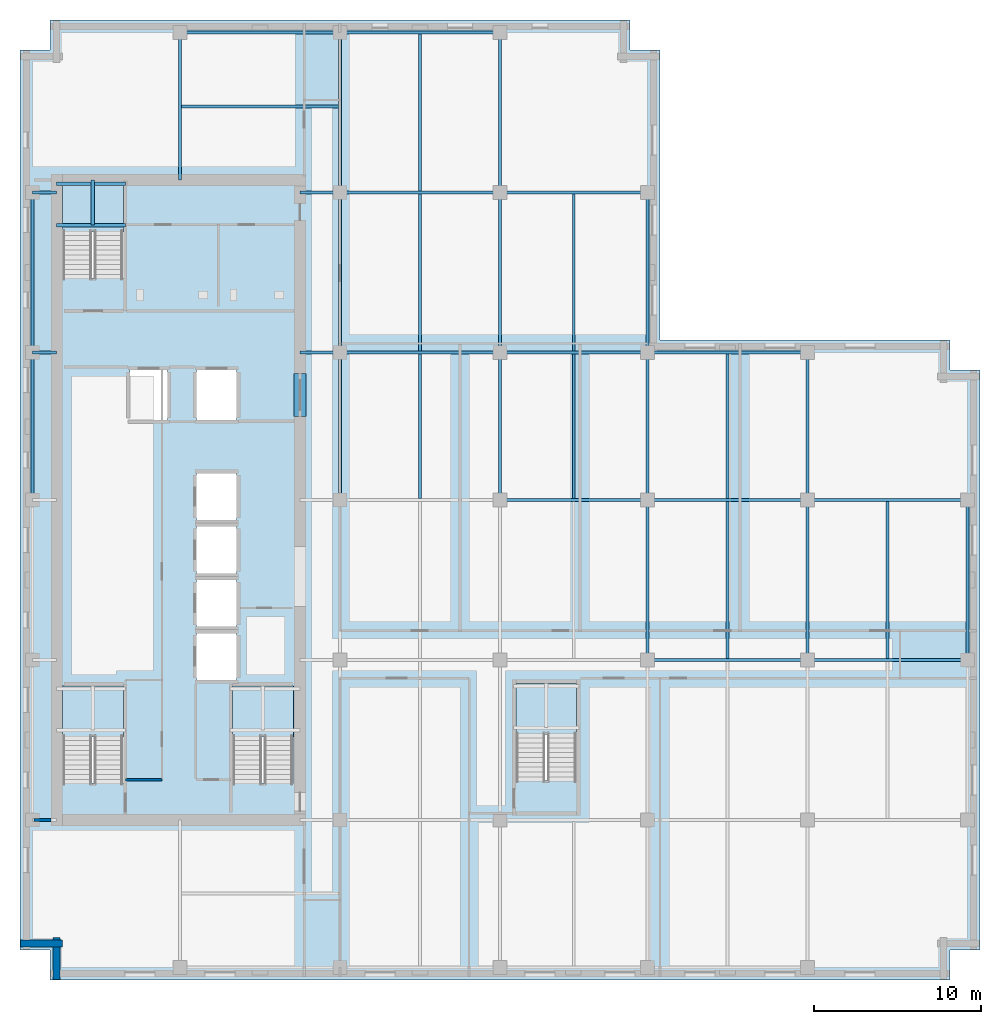
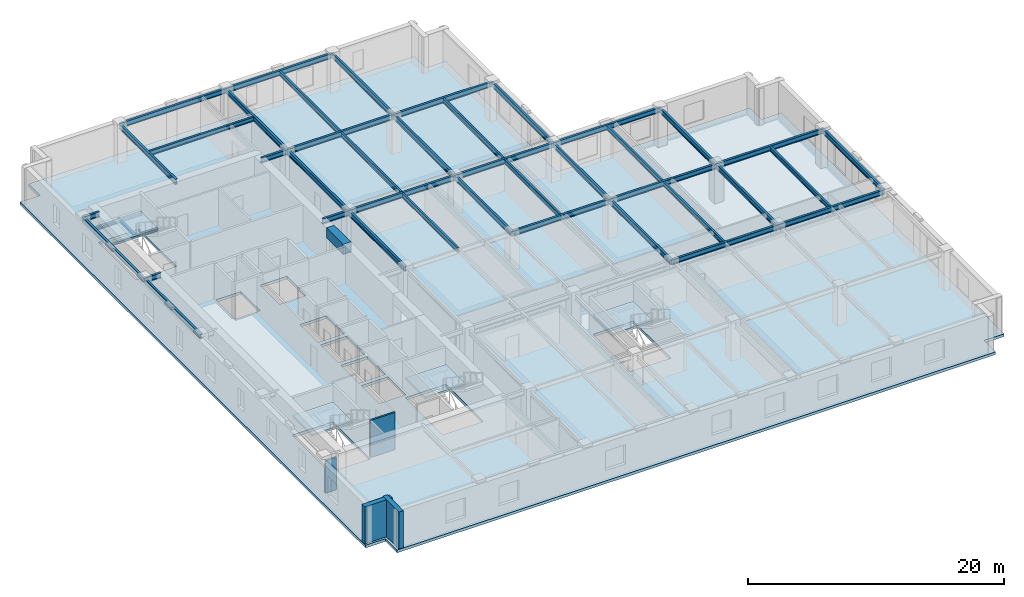
# One storey, part 2 of 11: 44 beams, 5 slabs, 4 walls, 4 elements without a shape of their own.
"""IFC4 building model written with IfcOpenShell, lengths in metres."""

from ifc_helpers import new_model, si_unit, direction, frame, frame_2d, origin, origin_2d, place, context, subcontext, project, spatial, polyline, rectangle, i_section, outline, extrude, material, layer, layer_set, material_profile, profile_set, type_object, element, aggregate, save


model = new_model("IFC4")

# Units and contexts
model_context = context("Model", 3, precision=1e-05, world=origin(), true_north=direction((0.0, 1.0)))
body_context = subcontext(model_context, "Body", "Model", "MODEL_VIEW")
ifc_project = project(units=[si_unit("LENGTHUNIT", "METRE"), si_unit("AREAUNIT", "SQUARE_METRE"), si_unit("VOLUMEUNIT", "CUBIC_METRE"), si_unit("PLANEANGLEUNIT", "RADIAN"), si_unit("MASSUNIT", "GRAM", prefix="KILO")], contexts=[model_context])

# Site, building, storey
site_placement = place(None, origin())
site = spatial("IfcSite", under=ifc_project, at=site_placement, CompositionType="ELEMENT")
building_placement = place(site_placement, origin())
building = spatial("IfcBuilding", under=site, at=building_placement, Name="Norrvale University Quadrangle", CompositionType="ELEMENT")
storey_placement = place(building_placement, frame((0.0, 0.0, 206.60009765625)))
storey = spatial("IfcBuildingStorey", under=building, at=storey_placement, Name="L52", CompositionType="ELEMENT", Elevation=206.60009765625)

# Beams
ifc_material_1 = material(Name="Concrete C80/95", Category="concrete")
ifc_material_profile_1 = material_profile(ifc_material_1, rectangle(XDim=0.699951171875, YDim=0.949951171875, at=origin_2d()), Name="Concrete C80/95")
ifc_profile_set_1 = profile_set([ifc_material_profile_1], Name="Concrete C80/95")
beam_type_1 = type_object("IfcBeamType", Name="Beam Core Link 700x950", PredefinedType="LINTEL", material=ifc_profile_set_1)
beam_1_placement = place(storey_placement, frame((16.800048828125, 33.800048828125, 3.06494140625), z_axis=(0.0, 1.0, 0.0), x_axis=(-1.0, 0.0, 0.0)))
element("IfcBeam", 1, at=beam_1_placement, inside=storey, type_object=beam_type_1, Name="Core Coupling Lintel Beam L52-2", PredefinedType="LINTEL", context=body_context, shape_type="SweptSolid", body=[
    extrude(rectangle(XDim=0.699951171875, YDim=0.949951171875, at=origin_2d()), origin(), (0.0, 0.0, 1.0), 2.599853515625),
])
ifc_material_2 = material(Name="Steel 350W", Category="steel")
ifc_material_profile_2 = material_profile(ifc_material_2, i_section(OverallWidth=0.194091796875, OverallDepth=0.468994140625, WebThickness=0.0126953125, FlangeThickness=0.0205078125, FilletRadius=0.012939453125, at=origin_2d()), Name="Steel 350W")
ifc_profile_set_2 = profile_set([ifc_material_profile_2], Name="Steel 350W")
beam_type_2 = type_object("IfcBeamType", Name="Beam Floor W460x106", PredefinedType="BEAM", material=ifc_profile_set_2)
for number, where, z_axis, x_axis, name in (
    (2, (37.64990234375, 19.199951171875, 3.305419921875), (1.0, 0.0, 0.0), (0.0, 1.0, 0.0), "Beam Floor W460x106 BM-L52-GX011"),
    (3, (47.25, 19.199951171875, 3.305419921875), (1.0, 0.0, 0.0), (0.0, 1.0, 0.0), "Beam Floor W460x106 BM-L52-GX012"),
):
    element("IfcBeam", number, at=place(storey_placement, frame(where, z_axis=z_axis, x_axis=x_axis)), inside=storey, type_object=beam_type_2, Name=name, PredefinedType="BEAM", context=body_context, shape_type="SweptSolid", body=[
        extrude(i_section(OverallWidth=0.194091796875, OverallDepth=0.468994140625, WebThickness=0.0126953125, FlangeThickness=0.0205078125, FilletRadius=0.012939453125, at=origin_2d()), origin(), (0.0, 0.0, 1.0), 9.60009765625),
    ])
beam_2_placement = place(storey_placement, frame((28.800048828125, 28.800048828125, 3.305419921875), z_axis=(1.0, 0.0, 0.0), x_axis=(0.0, 1.0, 0.0)))
element("IfcBeam", 4, at=beam_2_placement, inside=storey, type_object=beam_type_2, Name="Beam Floor W460x106 BM-L52-GX014", PredefinedType="BEAM", context=body_context, shape_type="SweptSolid", body=[
    extrude(i_section(OverallWidth=0.194091796875, OverallDepth=0.468994140625, WebThickness=0.0126953125, FlangeThickness=0.0205078125, FilletRadius=0.012939453125, at=origin_2d()), origin(), (0.0, 0.0, 1.0), 8.849853515625),
])
for number, where, z_axis, x_axis, name in (
    (5, (37.64990234375, 28.800048828125, 3.305419921875), (1.0, 0.0, 0.0), (0.0, 1.0, 0.0), "Beam Floor W460x106 BM-L52-GX015"),
    (6, (47.25, 28.800048828125, 3.305419921875), (1.0, 0.0, 0.0), (0.0, 1.0, 0.0), "Beam Floor W460x106 BM-L52-GX016"),
    (7, (19.199951171875, 37.64990234375, 3.305419921875), (1.0, 0.0, 0.0), (0.0, 1.0, 0.0), "Beam Floor W460x106 BM-L52-GX017"),
):
    element("IfcBeam", number, at=place(storey_placement, frame(where, z_axis=z_axis, x_axis=x_axis)), inside=storey, type_object=beam_type_2, Name=name, PredefinedType="BEAM", context=body_context, shape_type="SweptSolid", body=[
        extrude(i_section(OverallWidth=0.194091796875, OverallDepth=0.468994140625, WebThickness=0.0126953125, FlangeThickness=0.0205078125, FilletRadius=0.012939453125, at=origin_2d()), origin(), (0.0, 0.0, 1.0), 9.60009765625),
    ])
beam_3_placement = place(storey_placement, frame((28.800048828125, 37.64990234375, 3.305419921875), z_axis=(1.0, 0.0, 0.0), x_axis=(0.0, 1.0, 0.0)))
element("IfcBeam", 8, at=beam_3_placement, inside=storey, type_object=beam_type_2, Name="Beam Floor W460x106 BM-L52-GX018", PredefinedType="BEAM", context=body_context, shape_type="SweptSolid", body=[
    extrude(i_section(OverallWidth=0.194091796875, OverallDepth=0.468994140625, WebThickness=0.0126953125, FlangeThickness=0.0205078125, FilletRadius=0.012939453125, at=origin_2d()), origin(), (0.0, 0.0, 1.0), 8.849853515625),
])
for number, where, z_axis, x_axis, name in (
    (9, (37.64990234375, 37.64990234375, 3.305419921875), (1.0, 0.0, 0.0), (0.0, 1.0, 0.0), "Beam Floor W460x106 BM-L52-GX019"),
    (10, (19.199951171875, 47.25, 3.305419921875), (1.0, 0.0, 0.0), (0.0, 1.0, 0.0), "Beam Floor W460x106 BM-L52-GX020"),
):
    element("IfcBeam", number, at=place(storey_placement, frame(where, z_axis=z_axis, x_axis=x_axis)), inside=storey, type_object=beam_type_2, Name=name, PredefinedType="BEAM", context=body_context, shape_type="SweptSolid", body=[
        extrude(i_section(OverallWidth=0.194091796875, OverallDepth=0.468994140625, WebThickness=0.0126953125, FlangeThickness=0.0205078125, FilletRadius=0.012939453125, at=origin_2d()), origin(), (0.0, 0.0, 1.0), 9.60009765625),
    ])
beam_4_placement = place(storey_placement, frame((28.800048828125, 47.25, 3.305419921875), z_axis=(1.0, 0.0, 0.0), x_axis=(0.0, 1.0, 0.0)))
element("IfcBeam", 11, at=beam_4_placement, inside=storey, type_object=beam_type_2, Name="Beam Floor W460x106 BM-L52-GX021", PredefinedType="BEAM", context=body_context, shape_type="SweptSolid", body=[
    extrude(i_section(OverallWidth=0.194091796875, OverallDepth=0.468994140625, WebThickness=0.0126953125, FlangeThickness=0.0205078125, FilletRadius=0.012939453125, at=origin_2d()), origin(), (0.0, 0.0, 1.0), 8.849853515625),
])
beam_5_placement = place(storey_placement, frame((9.60009765625, 56.85009765625, 3.305419921875), z_axis=(1.0, 0.0, 0.0), x_axis=(0.0, 1.0, 0.0)))
element("IfcBeam", 12, at=beam_5_placement, inside=storey, type_object=beam_type_2, Name="Beam Floor W460x106 BM-L52-GX022", PredefinedType="BEAM", context=body_context, shape_type="SweptSolid", body=[
    extrude(i_section(OverallWidth=0.194091796875, OverallDepth=0.468994140625, WebThickness=0.0126953125, FlangeThickness=0.0205078125, FilletRadius=0.012939453125, at=origin_2d()), origin(), (0.0, 0.0, 1.0), 9.599853515625),
])
beam_6_placement = place(storey_placement, frame((19.199951171875, 56.85009765625, 3.305419921875), z_axis=(1.0, 0.0, 0.0), x_axis=(0.0, 1.0, 0.0)))
element("IfcBeam", 13, at=beam_6_placement, inside=storey, type_object=beam_type_2, Name="Beam Floor W460x106 BM-L52-GX023", PredefinedType="BEAM", context=body_context, shape_type="SweptSolid", body=[
    extrude(i_section(OverallWidth=0.194091796875, OverallDepth=0.468994140625, WebThickness=0.0126953125, FlangeThickness=0.0205078125, FilletRadius=0.012939453125, at=origin_2d()), origin(), (0.0, 0.0, 1.0), 9.60009765625),
])
beam_7_placement = place(storey_placement, frame((0.75, 28.800048828125, 3.305419921875), z_axis=(0.0, 1.0, 0.0), x_axis=(-1.0, 0.0, 0.0)))
element("IfcBeam", 14, at=beam_7_placement, inside=storey, type_object=beam_type_2, Name="Beam Floor W460x106 BM-L52-GY026", PredefinedType="BEAM", context=body_context, shape_type="SweptSolid", body=[
    extrude(i_section(OverallWidth=0.194091796875, OverallDepth=0.468994140625, WebThickness=0.0126953125, FlangeThickness=0.0205078125, FilletRadius=0.012939453125, at=origin_2d()), origin(), (0.0, 0.0, 1.0), 8.849853515625),
])
beam_8_placement = place(storey_placement, frame((0.75, 37.64990234375, 3.305419921875), z_axis=(0.0, 1.0, 0.0), x_axis=(-1.0, 0.0, 0.0)))
element("IfcBeam", 15, at=beam_8_placement, inside=storey, type_object=beam_type_2, Name="Beam Floor W460x106 BM-L52-GY027", PredefinedType="BEAM", context=body_context, shape_type="SweptSolid", body=[
    extrude(i_section(OverallWidth=0.194091796875, OverallDepth=0.468994140625, WebThickness=0.0126953125, FlangeThickness=0.0205078125, FilletRadius=0.012939453125, at=origin_2d()), origin(), (0.0, 0.0, 1.0), 9.60009765625),
])
beam_9_placement = place(storey_placement, frame((19.199951171875, 28.800048828125, 3.305419921875), z_axis=(0.0, 1.0, 0.0), x_axis=(-1.0, 0.0, 0.0)))
element("IfcBeam", 16, at=beam_9_placement, inside=storey, type_object=beam_type_2, Name="Beam Floor W460x106 BM-L52-GY031", PredefinedType="BEAM", context=body_context, shape_type="SweptSolid", body=[
    extrude(i_section(OverallWidth=0.194091796875, OverallDepth=0.468994140625, WebThickness=0.0126953125, FlangeThickness=0.0205078125, FilletRadius=0.012939453125, at=origin_2d()), origin(), (0.0, 0.0, 1.0), 8.849853515625),
])
for number, where, z_axis, x_axis, name in (
    (17, (19.199951171875, 37.64990234375, 3.305419921875), (0.0, 1.0, 0.0), (-1.0, 0.0, 0.0), "Beam Floor W460x106 BM-L52-GY032"),
    (18, (19.199951171875, 47.25, 3.305419921875), (0.0, 1.0, 0.0), (-1.0, 0.0, 0.0), "Beam Floor W460x106 BM-L52-GY033"),
):
    element("IfcBeam", number, at=place(storey_placement, frame(where, z_axis=z_axis, x_axis=x_axis)), inside=storey, type_object=beam_type_2, Name=name, PredefinedType="BEAM", context=body_context, shape_type="SweptSolid", body=[
        extrude(i_section(OverallWidth=0.194091796875, OverallDepth=0.468994140625, WebThickness=0.0126953125, FlangeThickness=0.0205078125, FilletRadius=0.012939453125, at=origin_2d()), origin(), (0.0, 0.0, 1.0), 9.60009765625),
    ])
beam_10_placement = place(storey_placement, frame((28.800048828125, 28.800048828125, 3.305419921875), z_axis=(0.0, 1.0, 0.0), x_axis=(-1.0, 0.0, 0.0)))
element("IfcBeam", 19, at=beam_10_placement, inside=storey, type_object=beam_type_2, Name="Beam Floor W460x106 BM-L52-GY037", PredefinedType="BEAM", context=body_context, shape_type="SweptSolid", body=[
    extrude(i_section(OverallWidth=0.194091796875, OverallDepth=0.468994140625, WebThickness=0.0126953125, FlangeThickness=0.0205078125, FilletRadius=0.012939453125, at=origin_2d()), origin(), (0.0, 0.0, 1.0), 8.849853515625),
])
for number, where, z_axis, x_axis, name in (
    (20, (28.800048828125, 37.64990234375, 3.305419921875), (0.0, 1.0, 0.0), (-1.0, 0.0, 0.0), "Beam Floor W460x106 BM-L52-GY038"),
    (21, (28.800048828125, 47.25, 3.305419921875), (0.0, 1.0, 0.0), (-1.0, 0.0, 0.0), "Beam Floor W460x106 BM-L52-GY039"),
    (22, (37.64990234375, 19.199951171875, 3.305419921875), (0.0, 1.0, 0.0), (-1.0, 0.0, 0.0), "Beam Floor W460x106 BM-L52-GY042"),
):
    element("IfcBeam", number, at=place(storey_placement, frame(where, z_axis=z_axis, x_axis=x_axis)), inside=storey, type_object=beam_type_2, Name=name, PredefinedType="BEAM", context=body_context, shape_type="SweptSolid", body=[
        extrude(i_section(OverallWidth=0.194091796875, OverallDepth=0.468994140625, WebThickness=0.0126953125, FlangeThickness=0.0205078125, FilletRadius=0.012939453125, at=origin_2d()), origin(), (0.0, 0.0, 1.0), 9.60009765625),
    ])
beam_11_placement = place(storey_placement, frame((37.64990234375, 28.800048828125, 3.305419921875), z_axis=(0.0, 1.0, 0.0), x_axis=(-1.0, 0.0, 0.0)))
element("IfcBeam", 23, at=beam_11_placement, inside=storey, type_object=beam_type_2, Name="Beam Floor W460x106 BM-L52-GY043", PredefinedType="BEAM", context=body_context, shape_type="SweptSolid", body=[
    extrude(i_section(OverallWidth=0.194091796875, OverallDepth=0.468994140625, WebThickness=0.0126953125, FlangeThickness=0.0205078125, FilletRadius=0.012939453125, at=origin_2d()), origin(), (0.0, 0.0, 1.0), 8.849853515625),
])
for number, where, z_axis, x_axis, name in (
    (24, (37.64990234375, 37.64990234375, 3.305419921875), (0.0, 1.0, 0.0), (-1.0, 0.0, 0.0), "Beam Floor W460x106 BM-L52-GY044"),
    (25, (47.25, 19.199951171875, 3.305419921875), (0.0, 1.0, 0.0), (-1.0, 0.0, 0.0), "Beam Floor W460x106 BM-L52-GY047"),
):
    element("IfcBeam", number, at=place(storey_placement, frame(where, z_axis=z_axis, x_axis=x_axis)), inside=storey, type_object=beam_type_2, Name=name, PredefinedType="BEAM", context=body_context, shape_type="SweptSolid", body=[
        extrude(i_section(OverallWidth=0.194091796875, OverallDepth=0.468994140625, WebThickness=0.0126953125, FlangeThickness=0.0205078125, FilletRadius=0.012939453125, at=origin_2d()), origin(), (0.0, 0.0, 1.0), 9.60009765625),
    ])
beam_12_placement = place(storey_placement, frame((47.25, 28.800048828125, 3.305419921875), z_axis=(0.0, 1.0, 0.0), x_axis=(-1.0, 0.0, 0.0)))
element("IfcBeam", 26, at=beam_12_placement, inside=storey, type_object=beam_type_2, Name="Beam Floor W460x106 BM-L52-GY048", PredefinedType="BEAM", context=body_context, shape_type="SweptSolid", body=[
    extrude(i_section(OverallWidth=0.194091796875, OverallDepth=0.468994140625, WebThickness=0.0126953125, FlangeThickness=0.0205078125, FilletRadius=0.012939453125, at=origin_2d()), origin(), (0.0, 0.0, 1.0), 8.849853515625),
])
beam_13_placement = place(storey_placement, frame((56.85009765625, 19.199951171875, 3.305419921875), z_axis=(0.0, 1.0, 0.0), x_axis=(-1.0, 0.0, 0.0)))
element("IfcBeam", 27, at=beam_13_placement, inside=storey, type_object=beam_type_2, Name="Beam Floor W460x106 BM-L52-GY050", PredefinedType="BEAM", context=body_context, shape_type="SweptSolid", body=[
    extrude(i_section(OverallWidth=0.194091796875, OverallDepth=0.468994140625, WebThickness=0.0126953125, FlangeThickness=0.0205078125, FilletRadius=0.012939453125, at=origin_2d()), origin(), (0.0, 0.0, 1.0), 9.60009765625),
])
beam_14_placement = place(storey_placement, frame((0.75, 37.64990234375, 3.305419921875), z_axis=(1.0, 0.0, 0.0), x_axis=(0.0, 1.0, 0.0)))
element("IfcBeam", 28, at=beam_14_placement, inside=storey, type_object=beam_type_2, Name="Beam Floor W460x106 BM-L52-GCW057", PredefinedType="BEAM", context=body_context, shape_type="SweptSolid", body=[
    extrude(i_section(OverallWidth=0.194091796875, OverallDepth=0.468994140625, WebThickness=0.0126953125, FlangeThickness=0.0205078125, FilletRadius=0.012939453125, at=origin_2d()), origin(), (0.0, 0.0, 1.0), 1.449951171875),
])
beam_15_placement = place(storey_placement, frame((16.800048828125, 37.64990234375, 3.305419921875), z_axis=(1.0, 0.0, 0.0), x_axis=(0.0, 1.0, 0.0)))
element("IfcBeam", 29, at=beam_15_placement, inside=storey, type_object=beam_type_2, Name="Beam Floor W460x106 BM-L52-GCE058", PredefinedType="BEAM", context=body_context, shape_type="SweptSolid", body=[
    extrude(i_section(OverallWidth=0.194091796875, OverallDepth=0.468994140625, WebThickness=0.0126953125, FlangeThickness=0.0205078125, FilletRadius=0.012939453125, at=origin_2d()), origin(), (0.0, 0.0, 1.0), 2.39990234375),
])
beam_16_placement = place(storey_placement, frame((0.75, 47.25, 3.305419921875), z_axis=(1.0, 0.0, 0.0), x_axis=(0.0, 1.0, 0.0)))
element("IfcBeam", 30, at=beam_16_placement, inside=storey, type_object=beam_type_2, Name="Beam Floor W460x106 BM-L52-GCW059", PredefinedType="BEAM", context=body_context, shape_type="SweptSolid", body=[
    extrude(i_section(OverallWidth=0.194091796875, OverallDepth=0.468994140625, WebThickness=0.0126953125, FlangeThickness=0.0205078125, FilletRadius=0.012939453125, at=origin_2d()), origin(), (0.0, 0.0, 1.0), 1.449951171875),
])
beam_17_placement = place(storey_placement, frame((16.800048828125, 47.25, 3.305419921875), z_axis=(1.0, 0.0, 0.0), x_axis=(0.0, 1.0, 0.0)))
element("IfcBeam", 31, at=beam_17_placement, inside=storey, type_object=beam_type_2, Name="Beam Floor W460x106 BM-L52-GCE060", PredefinedType="BEAM", context=body_context, shape_type="SweptSolid", body=[
    extrude(i_section(OverallWidth=0.194091796875, OverallDepth=0.468994140625, WebThickness=0.0126953125, FlangeThickness=0.0205078125, FilletRadius=0.012939453125, at=origin_2d()), origin(), (0.0, 0.0, 1.0), 2.39990234375),
])
beam_18_placement = place(storey_placement, frame((9.60009765625, 48.0, 3.305419921875), z_axis=(0.0, 1.0, 0.0), x_axis=(-1.0, 0.0, 0.0)))
element("IfcBeam", 32, at=beam_18_placement, inside=storey, type_object=beam_type_2, Name="Beam Floor W460x106 BM-L52-GCN079", PredefinedType="BEAM", context=body_context, shape_type="SweptSolid", body=[
    extrude(i_section(OverallWidth=0.194091796875, OverallDepth=0.468994140625, WebThickness=0.0126953125, FlangeThickness=0.0205078125, FilletRadius=0.012939453125, at=origin_2d()), origin(), (0.0, 0.0, 1.0), 8.85009765625),
])
ifc_material_profile_3 = material_profile(ifc_material_2, i_section(OverallWidth=0.177978515625, OverallDepth=0.406982421875, WebThickness=0.0078125, FlangeThickness=0.0126953125, FilletRadius=0.011962890625, at=origin_2d()), Name="Steel 350W")
ifc_profile_set_3 = profile_set([ifc_material_profile_3], Name="Steel 350W")
beam_type_3 = type_object("IfcBeamType", Name="Beam Roof Purlin W410x60", PredefinedType="USERDEFINED", material=ifc_profile_set_3)
beam_19_placement = place(storey_placement, frame((24.0, 28.89697265625, 3.33642578125), z_axis=(0.0, 1.0, 0.0), x_axis=(-1.0, 0.0, 0.0)))
element("IfcBeam", 33, at=beam_19_placement, inside=storey, type_object=beam_type_3, Name="Beam Roof Purlin W410x60 BM-L52-J064", ObjectType="PURLIN", PredefinedType="USERDEFINED", context=body_context, shape_type="SweptSolid", body=[
    extrude(i_section(OverallWidth=0.177978515625, OverallDepth=0.406982421875, WebThickness=0.0078125, FlangeThickness=0.0126953125, FilletRadius=0.011962890625, at=origin_2d()), origin(), (0.0, 0.0, 1.0), 8.656005859375),
])
for number, where, z_axis, x_axis, name in (
    (34, (24.0, 37.7470703125, 3.33642578125), (0.0, 1.0, 0.0), (-1.0, 0.0, 0.0), "Beam Roof Purlin W410x60 BM-L52-J065"),
    (35, (24.0, 47.346923828125, 3.33642578125), (0.0, 1.0, 0.0), (-1.0, 0.0, 0.0), "Beam Roof Purlin W410x60 BM-L52-J066"),
):
    element("IfcBeam", number, at=place(storey_placement, frame(where, z_axis=z_axis, x_axis=x_axis)), inside=storey, type_object=beam_type_3, Name=name, ObjectType="PURLIN", PredefinedType="USERDEFINED", context=body_context, shape_type="SweptSolid", body=[
        extrude(i_section(OverallWidth=0.177978515625, OverallDepth=0.406982421875, WebThickness=0.0078125, FlangeThickness=0.0126953125, FilletRadius=0.011962890625, at=origin_2d()), origin(), (0.0, 0.0, 1.0), 9.406005859375),
    ])
beam_20_placement = place(storey_placement, frame((33.22509765625, 28.89697265625, 3.33642578125), z_axis=(0.0, 1.0, 0.0), x_axis=(-1.0, 0.0, 0.0)))
element("IfcBeam", 36, at=beam_20_placement, inside=storey, type_object=beam_type_3, Name="Beam Roof Purlin W410x60 BM-L52-J069", ObjectType="PURLIN", PredefinedType="USERDEFINED", context=body_context, shape_type="SweptSolid", body=[
    extrude(i_section(OverallWidth=0.177978515625, OverallDepth=0.406982421875, WebThickness=0.0078125, FlangeThickness=0.0126953125, FilletRadius=0.011962890625, at=origin_2d()), origin(), (0.0, 0.0, 1.0), 8.656005859375),
])
beam_21_placement = place(storey_placement, frame((33.22509765625, 37.7470703125, 3.33642578125), z_axis=(0.0, 1.0, 0.0), x_axis=(-1.0, 0.0, 0.0)))
element("IfcBeam", 37, at=beam_21_placement, inside=storey, type_object=beam_type_3, Name="Beam Roof Purlin W410x60 BM-L52-J070", ObjectType="PURLIN", PredefinedType="USERDEFINED", context=body_context, shape_type="SweptSolid", body=[
    extrude(i_section(OverallWidth=0.177978515625, OverallDepth=0.406982421875, WebThickness=0.0078125, FlangeThickness=0.0126953125, FilletRadius=0.011962890625, at=origin_2d()), origin(), (0.0, 0.0, 1.0), 9.406005859375),
])
beam_22_placement = place(storey_placement, frame((42.449951171875, 19.297119140625, 3.33642578125), z_axis=(0.0, 1.0, 0.0), x_axis=(-1.0, 0.0, 0.0)))
element("IfcBeam", 38, at=beam_22_placement, inside=storey, type_object=beam_type_3, Name="Beam Roof Purlin W410x60 BM-L52-J073", ObjectType="PURLIN", PredefinedType="USERDEFINED", context=body_context, shape_type="SweptSolid", body=[
    extrude(i_section(OverallWidth=0.177978515625, OverallDepth=0.406982421875, WebThickness=0.0078125, FlangeThickness=0.0126953125, FilletRadius=0.011962890625, at=origin_2d()), origin(), (0.0, 0.0, 1.0), 9.40576171875),
])
beam_23_placement = place(storey_placement, frame((42.449951171875, 28.89697265625, 3.33642578125), z_axis=(0.0, 1.0, 0.0), x_axis=(-1.0, 0.0, 0.0)))
element("IfcBeam", 39, at=beam_23_placement, inside=storey, type_object=beam_type_3, Name="Beam Roof Purlin W410x60 BM-L52-J074", ObjectType="PURLIN", PredefinedType="USERDEFINED", context=body_context, shape_type="SweptSolid", body=[
    extrude(i_section(OverallWidth=0.177978515625, OverallDepth=0.406982421875, WebThickness=0.0078125, FlangeThickness=0.0126953125, FilletRadius=0.011962890625, at=origin_2d()), origin(), (0.0, 0.0, 1.0), 8.656005859375),
])
beam_24_placement = place(storey_placement, frame((52.050048828125, 19.297119140625, 3.33642578125), z_axis=(0.0, 1.0, 0.0), x_axis=(-1.0, 0.0, 0.0)))
element("IfcBeam", 40, at=beam_24_placement, inside=storey, type_object=beam_type_3, Name="Beam Roof Purlin W410x60 BM-L52-J076", ObjectType="PURLIN", PredefinedType="USERDEFINED", context=body_context, shape_type="SweptSolid", body=[
    extrude(i_section(OverallWidth=0.177978515625, OverallDepth=0.406982421875, WebThickness=0.0078125, FlangeThickness=0.0126953125, FilletRadius=0.011962890625, at=origin_2d()), origin(), (0.0, 0.0, 1.0), 9.40576171875),
])
beam_25_placement = place(storey_placement, frame((9.697021484375, 52.39990234375, 3.33642578125), z_axis=(1.0, 0.0, 0.0), x_axis=(0.0, 1.0, 0.0)))
element("IfcBeam", 41, at=beam_25_placement, inside=storey, type_object=beam_type_3, Name="Beam Roof Purlin W410x60 BM-L52-JCN080", ObjectType="PURLIN", PredefinedType="USERDEFINED", context=body_context, shape_type="SweptSolid", body=[
    extrude(i_section(OverallWidth=0.177978515625, OverallDepth=0.406982421875, WebThickness=0.0078125, FlangeThickness=0.0126953125, FilletRadius=0.011962890625, at=origin_2d()), origin(), (0.0, 0.0, 1.0), 9.406005859375),
])
ifc_material_profile_4 = material_profile(ifc_material_2, i_section(OverallWidth=0.201904296875, OverallDepth=0.2470703125, WebThickness=0.00732421875, FlangeThickness=0.010986328125, FilletRadius=0.011962890625, at=origin_2d()), Name="Steel 350W")
ifc_profile_set_4 = profile_set([ifc_material_profile_4], Name="Steel 350W")
beam_type_4 = type_object("IfcBeamType", Name="Beam Stair W250x49", PredefinedType="BEAM", material=ifc_profile_set_4)
for number, where, z_axis, x_axis, name in (
    (42, (2.199951171875, 45.2900390625, 1.576416015625), (1.0, 0.0, 0.0), (0.0, 1.0, 0.0), "Stair Mid-Landing Front Beam ST-02 L52"),
    (43, (2.199951171875, 47.77001953125, 1.576416015625), (1.0, 0.0, 0.0), (0.0, 1.0, 0.0), "Stair Mid-Landing Rear Beam ST-02 L52"),
):
    element("IfcBeam", number, at=place(storey_placement, frame(where, z_axis=z_axis, x_axis=x_axis)), inside=storey, type_object=beam_type_4, Name=name, PredefinedType="BEAM", context=body_context, shape_type="SweptSolid", body=[
        extrude(i_section(OverallWidth=0.201904296875, OverallDepth=0.2470703125, WebThickness=0.00732421875, FlangeThickness=0.010986328125, FilletRadius=0.011962890625, at=origin_2d()), origin(), (0.0, 0.0, 1.0), 4.14013671875),
    ])
ifc_material_profile_5 = material_profile(ifc_material_2, i_section(OverallWidth=0.202880859375, OverallDepth=0.202880859375, WebThickness=0.007080078125, FlangeThickness=0.010986328125, FilletRadius=0.010009765625, at=origin_2d()), Name="Steel 350W")
ifc_profile_set_5 = profile_set([ifc_material_profile_5], Name="Steel 350W")
beam_type_5 = type_object("IfcBeamType", Name="Beam Trim W200x46", PredefinedType="BEAM", material=ifc_profile_set_5)
beam_26_placement = place(storey_placement, frame((4.375, 45.2900390625, 1.598388671875), z_axis=(0.0, 1.0, 0.0), x_axis=(-1.0, 0.0, 0.0)))
element("IfcBeam", 44, at=beam_26_placement, inside=storey, type_object=beam_type_5, Name="Stair Mid-Landing Cross Beam ST-02 L52", PredefinedType="BEAM", context=body_context, shape_type="SweptSolid", body=[
    extrude(i_section(OverallWidth=0.202880859375, OverallDepth=0.202880859375, WebThickness=0.007080078125, FlangeThickness=0.010986328125, FilletRadius=0.010009765625, at=origin_2d()), origin(), (0.0, 0.0, 1.0), 2.7099609375),
])

# Stair, slab
ifc_material_3 = material(Name="Concrete C40/50", Category="concrete")
stair_type = type_object("IfcStairType", Name="Stair Tower Typ 3800", PredefinedType="TWO_STRAIGHT_RUN_STAIR", material=ifc_material_3)
stair_1_placement = place(storey_placement, origin())
stair_1 = element("IfcStair", 45, at=stair_1_placement, inside=storey, type_object=stair_type, Name="Exit Stair ST-01 L52", PredefinedType="TWO_STRAIGHT_RUN_STAIR")
ifc_layer_1 = layer(ifc_material_3, 0.199951171875, Name="Concrete C40/50")
ifc_layer_set_1 = layer_set([ifc_layer_1], Name="Concrete C40/50")
slab_type_1 = type_object("IfcSlabType", Name="Slab Landing 200", PredefinedType="LANDING", material=ifc_layer_set_1)
slab_1_placement = place(storey_placement, frame((0.0, 0.0, 1.699951171875)))
slab_1 = element("IfcSlab", 46, at=slab_1_placement, type_object=slab_type_1, Name="Exit Stair ST-01 L52 Mid Landing", PredefinedType="LANDING", context=body_context, shape_type="SweptSolid", body=[
    extrude(outline(polyline([(2.550048828125, 14.590087890625), (6.199951171875, 14.590087890625), (6.199951171875, 17.64990234375), (2.550048828125, 17.64990234375), (2.550048828125, 14.590087890625)])), origin(), (0.0, 0.0, 1.0), 0.199951171875),
])
aggregate(stair_1, [slab_1])

stair_2_placement = place(storey_placement, origin())
stair_2 = element("IfcStair", 47, at=stair_2_placement, inside=storey, type_object=stair_type, Name="Exit Stair ST-02 L52", PredefinedType="TWO_STRAIGHT_RUN_STAIR")
slab_2_placement = place(storey_placement, frame((0.0, 0.0, 1.699951171875)))
slab_2 = element("IfcSlab", 48, at=slab_2_placement, type_object=slab_type_1, Name="Exit Stair ST-02 L52 Mid Landing", PredefinedType="LANDING", context=body_context, shape_type="SweptSolid", body=[
    extrude(outline(polyline([(2.550048828125, 44.889892578125), (6.199951171875, 44.889892578125), (6.199951171875, 47.949951171875), (2.550048828125, 47.949951171875), (2.550048828125, 44.889892578125)])), origin(), (0.0, 0.0, 1.0), 0.199951171875),
])
aggregate(stair_2, [slab_2])

stair_3_placement = place(storey_placement, origin())
stair_3 = element("IfcStair", 49, at=stair_3_placement, inside=storey, type_object=stair_type, Name="Exit Stair ST-03 L52", PredefinedType="TWO_STRAIGHT_RUN_STAIR")
slab_3_placement = place(storey_placement, frame((0.0, 0.0, 1.699951171875)))
slab_3 = element("IfcSlab", 50, at=slab_3_placement, type_object=slab_type_1, Name="Exit Stair ST-03 L52 Mid Landing", PredefinedType="LANDING", context=body_context, shape_type="SweptSolid", body=[
    extrude(outline(polyline([(12.75, 14.590087890625), (16.39990234375, 14.590087890625), (16.39990234375, 17.64990234375), (12.75, 17.64990234375), (12.75, 14.590087890625)])), origin(), (0.0, 0.0, 1.0), 0.199951171875),
])
aggregate(stair_3, [slab_3])

stair_4_placement = place(storey_placement, origin())
stair_4 = element("IfcStair", 51, at=stair_4_placement, inside=storey, type_object=stair_type, Name="Exit Stair ST-04 L52", PredefinedType="TWO_STRAIGHT_RUN_STAIR")
slab_4_placement = place(storey_placement, frame((0.0, 0.0, 1.699951171875)))
slab_4 = element("IfcSlab", 52, at=slab_4_placement, type_object=slab_type_1, Name="Exit Stair ST-04 L52 Mid Landing", PredefinedType="LANDING", context=body_context, shape_type="SweptSolid", body=[
    extrude(outline(polyline([(29.75, 14.739990234375), (33.39990234375, 14.739990234375), (33.39990234375, 17.800048828125), (29.75, 17.800048828125), (29.75, 14.739990234375)])), origin(), (0.0, 0.0, 1.0), 0.199951171875),
])
aggregate(stair_4, [slab_4])

# Slab
ifc_layer_2 = layer(ifc_material_3, 0.260009765625, Name="Concrete C40/50")
ifc_layer_set_2 = layer_set([ifc_layer_2], Name="Concrete C40/50")
slab_type_2 = type_object("IfcSlabType", Name="Slab Tower Typ 260", PredefinedType="FLOOR", material=ifc_layer_set_2)
slab_5_placement = place(storey_placement, frame((0.0, 0.0, -0.260009765625)))
element("IfcSlab", 53, at=slab_5_placement, inside=storey, type_object=slab_type_2, Name="Tower L52 Floor Slab", PredefinedType="FLOOR", context=body_context, shape_type="SweptSolid", body=[
    extrude(outline(polyline([(1.800048828125, 0.0), (55.800048828125, 0.0), (55.800048828125, 1.800048828125), (57.60009765625, 1.800048828125), (57.60009765625, 36.60009765625), (55.800048828125, 36.60009765625), (55.800048828125, 38.39990234375), (38.39990234375, 38.39990234375), (38.39990234375, 55.800048828125), (36.60009765625, 55.800048828125), (36.60009765625, 57.60009765625), (1.800048828125, 57.60009765625), (1.800048828125, 55.800048828125), (0.0, 55.800048828125), (0.0, 1.800048828125), (1.800048828125, 1.800048828125), (1.800048828125, 0.0)]), holes=[polyline([(2.550048828125, 11.81005859375), (6.199951171875, 11.81005859375), (6.199951171875, 17.64990234375), (2.550048828125, 17.64990234375), (2.550048828125, 11.81005859375)]), polyline([(2.550048828125, 42.110107421875), (6.199951171875, 42.110107421875), (6.199951171875, 47.949951171875), (2.550048828125, 47.949951171875), (2.550048828125, 42.110107421875)]), polyline([(12.75, 11.81005859375), (16.39990234375, 11.81005859375), (16.39990234375, 17.64990234375), (12.75, 17.64990234375), (12.75, 11.81005859375)]), polyline([(29.75, 11.9599609375), (33.39990234375, 11.9599609375), (33.39990234375, 17.800048828125), (29.75, 17.800048828125), (29.75, 11.9599609375)]), polyline([(10.60009765625, 18.0), (13.0, 18.0), (13.0, 20.800048828125), (10.60009765625, 20.800048828125), (10.60009765625, 18.0)]), polyline([(10.60009765625, 21.199951171875), (13.0, 21.199951171875), (13.0, 24.0), (10.60009765625, 24.0), (10.60009765625, 21.199951171875)]), polyline([(10.60009765625, 24.39990234375), (13.0, 24.39990234375), (13.0, 27.199951171875), (10.60009765625, 27.199951171875), (10.60009765625, 24.39990234375)]), polyline([(10.60009765625, 27.60009765625), (13.0, 27.60009765625), (13.0, 30.39990234375), (10.60009765625, 30.39990234375), (10.60009765625, 27.60009765625)]), polyline([(6.60009765625, 33.60009765625), (8.85009765625, 33.60009765625), (8.85009765625, 36.60009765625), (6.60009765625, 36.60009765625), (6.60009765625, 33.60009765625)]), polyline([(10.60009765625, 33.60009765625), (13.0, 33.60009765625), (13.0, 36.60009765625), (10.60009765625, 36.60009765625), (10.60009765625, 33.60009765625)])]), origin(), (0.0, 0.0, 1.0), 0.260009765625),
])

# Walls
ifc_material_4 = material(Name="Buff Norman Clay Brick Masonry", Category="masonry")
ifc_layer_3 = layer(ifc_material_4, 0.419921875, Name="Buff Norman Clay Brick Masonry")
ifc_layer_set_3 = layer_set([ifc_layer_3], Name="Buff Norman Clay Brick Masonry")
wall_type_1 = type_object("IfcWallType", Name="Wall Buff Brick 420", PredefinedType="SOLIDWALL", material=ifc_layer_set_3)
for number, where, z_axis, x_axis, name in (
    (54, (0.0400390625, 2.18994140625, 0.0), (0.0, 0.0, 1.0), (1.0, 0.0, 0.0), "Exterior Brick Facade Wall L52-15.1"),
    (55, (2.18994140625, 2.5400390625, 0.0), (0.0, 0.0, 1.0), (0.0, -1.0, 0.0), "Exterior Brick Facade Wall L52-16.1"),
):
    element("IfcWall", number, at=place(storey_placement, frame(where, z_axis=z_axis, x_axis=x_axis)), inside=storey, type_object=wall_type_1, Name=name, PredefinedType="SOLIDWALL", context=body_context, shape_type="SweptSolid", body=[
        extrude(rectangle(XDim=2.5, YDim=0.419921875, at=frame_2d((1.25, 0.0))), origin(), (0.0, 0.0, 1.0), 3.539794921875),
    ])
ifc_material_5 = material(Name="Fire-Rated Gypsum Stud Partition")
ifc_layer_4 = layer(ifc_material_5, 0.14990234375, Name="Fire-Rated Gypsum Stud Partition")
ifc_layer_set_4 = layer_set([ifc_layer_4], Name="Fire-Rated Gypsum Stud Partition")
wall_type_2 = type_object("IfcWallType", Name="Wall Gypsum Corridor 150", PredefinedType="PARTITIONING", material=ifc_layer_set_4)
wall_1_placement = place(storey_placement, frame((6.320068359375, 12.02001953125, 0.0), z_axis=(0.0, 0.0, 1.0), x_axis=(1.0, 0.0, 0.0)))
element("IfcWall", 56, at=wall_1_placement, inside=storey, type_object=wall_type_2, Name="Interior Partition WL-L52-REC-S", PredefinedType="PARTITIONING", context=body_context, shape_type="SweptSolid", body=[
    extrude(rectangle(XDim=2.199951171875, YDim=0.14990234375, at=frame_2d((1.10009765625, 0.0))), origin(), (0.0, 0.0, 1.0), 3.539794921875),
])
ifc_material_6 = material(Name="Concrete Blockwork 20 MPa Rated Wall", Category="masonry")
ifc_layer_5 = layer(ifc_material_6, 0.199951171875, Name="Concrete Blockwork 20 MPa Rated Wall")
ifc_layer_set_5 = layer_set([ifc_layer_5], Name="Concrete Blockwork 20 MPa Rated Wall")
wall_type_3 = type_object("IfcWallType", Name="Wall Lobby 200", PredefinedType="SOLIDWALL", material=ifc_layer_set_5)
wall_2_placement = place(storey_placement, frame((0.85009765625, 9.60009765625, 0.0), z_axis=(0.0, 0.0, 1.0), x_axis=(1.0, 0.0, 0.0)))
element("IfcWall", 57, at=wall_2_placement, inside=storey, type_object=wall_type_3, Name="Interior Partition WL-L52-CWRET-S", PredefinedType="SOLIDWALL", context=body_context, shape_type="SweptSolid", body=[
    extrude(rectangle(XDim=0.994873046875, YDim=0.199951171875, at=frame_2d((0.49755859375, 0.0))), origin(), (0.0, 0.0, 1.0), 3.07080078125),
])

save(model, "model.ifc")
